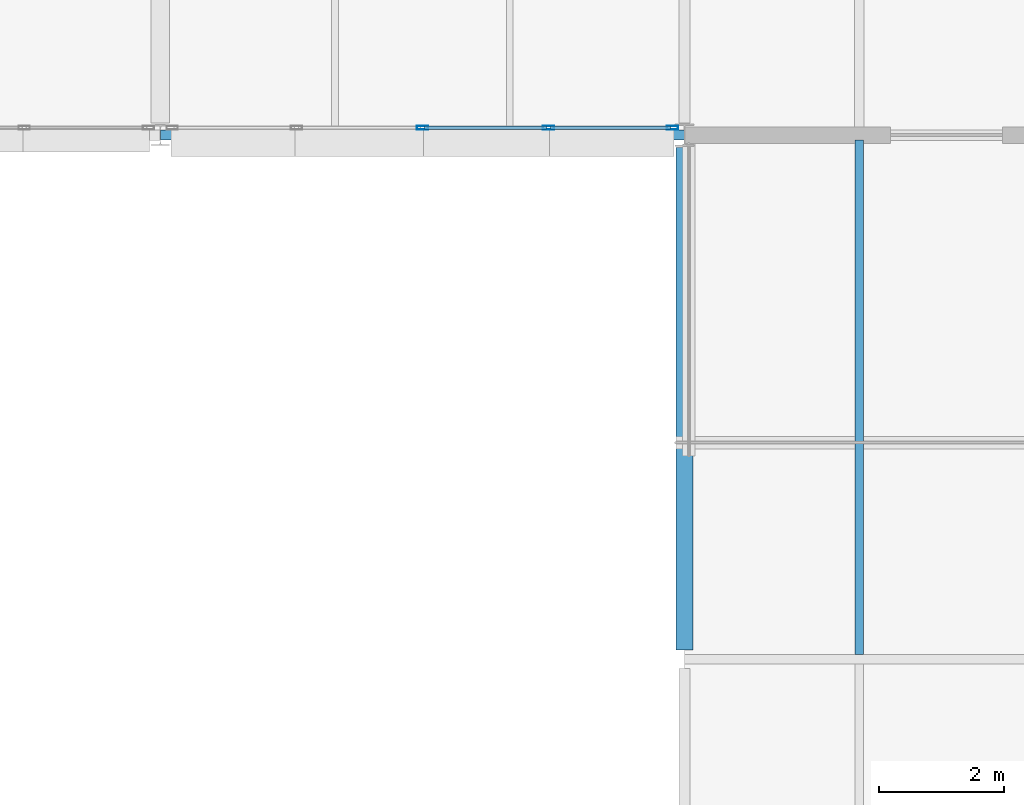
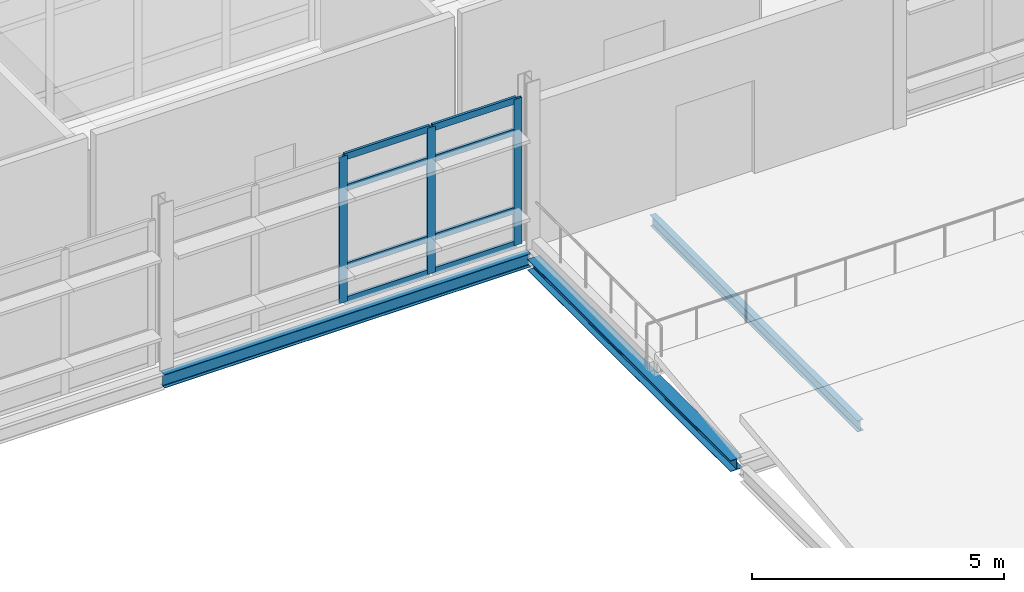
# One storey, part 17 of 66: 11 members, 3 beams, 1 element without a shape of its own.
"""IFC4 building model written with IfcOpenShell, lengths in metres."""

from ifc_helpers import new_model, si_unit, direction, frame, origin, origin_2d, place, context, subcontext, project, spatial, hollow_rectangle, i_section, extrude, material, material_profile, profile_set, type_object, element, aggregate, save


model = new_model("IFC4")

# Units and contexts
model_context = context("Model", 3, precision=1e-05, world=origin(), true_north=direction((0.0, 1.0)))
body_context = subcontext(model_context, "Body", "Model", "MODEL_VIEW")
ifc_project = project(units=[si_unit("LENGTHUNIT", "METRE"), si_unit("AREAUNIT", "SQUARE_METRE"), si_unit("VOLUMEUNIT", "CUBIC_METRE"), si_unit("PLANEANGLEUNIT", "RADIAN"), si_unit("MASSUNIT", "GRAM", prefix="KILO")], contexts=[model_context])

# Site, building, storey
site_placement = place(None, origin())
site = spatial("IfcSite", under=ifc_project, at=site_placement, CompositionType="ELEMENT")
building_placement = place(site_placement, origin())
building = spatial("IfcBuilding", under=site, at=building_placement, Name="Mersafa Astral City Hall", CompositionType="ELEMENT")
storey_placement = place(building_placement, frame((0.0, 0.0, 22.050048828125)))
storey = spatial("IfcBuildingStorey", under=building, at=storey_placement, Name="L05", CompositionType="ELEMENT", Elevation=22.050048828125)

# Curtain wall, members
ifc_material_1 = material(Name="Anodised bronze aluminium framing", Category="aluminium")
curtain_wall_type = type_object("IfcCurtainWallType", Name="ENV-CW-5", PredefinedType="USERDEFINED", material=ifc_material_1)
curtain_wall_placement = place(storey_placement, origin())
curtain_wall = element("IfcCurtainWall", 1, at=curtain_wall_placement, inside=storey, type_object=curtain_wall_type, Name="L05 Unitised solar curtain wall 238", ObjectType="UNITISED CURTAIN WALL", PredefinedType="USERDEFINED")
ifc_material_profile_1 = material_profile(ifc_material_1, hollow_rectangle(XDim=0.06005859375, YDim=0.179931640625, WallThickness=0.00390625, at=origin_2d()), Name="RHS 60x180x4")
ifc_profile_set_1 = profile_set([ifc_material_profile_1], Name="Anodised bronze aluminium framing")
member_type_1 = type_object("IfcMemberType", Name="ENV-CW-MUL-1", PredefinedType="MULLION", material=ifc_profile_set_1)
member_1_placement = place(storey_placement, frame((96.60009765625, 117.719970703125, -0.001953125), z_axis=(0.0, 0.0, 1.0), x_axis=(0.0, 1.0, 0.0)))
member_1 = element("IfcMember", 2, at=member_1_placement, type_object=member_type_1, Name="CW-5 mullion 3", PredefinedType="MULLION", context=body_context, shape_type="SweptSolid", body=[
    extrude(hollow_rectangle(XDim=0.06005859375, YDim=0.179931640625, WallThickness=0.00390625, at=origin_2d()), origin(), (0.0, 0.0, 1.0), 3.5439453125),
])
member_2_placement = place(storey_placement, frame((98.618896484375, 117.719970703125, -0.001953125), z_axis=(0.0, 0.0, 1.0), x_axis=(0.0, 1.0, 0.0)))
member_2 = element("IfcMember", 3, at=member_2_placement, type_object=member_type_1, Name="CW-5 mullion 4", PredefinedType="MULLION", context=body_context, shape_type="SweptSolid", body=[
    extrude(hollow_rectangle(XDim=0.06005859375, YDim=0.179931640625, WallThickness=0.00390625, at=origin_2d()), origin(), (0.0, 0.0, 1.0), 3.5439453125),
])
member_3_placement = place(storey_placement, frame((100.60791015625, 117.719970703125, -0.001953125), z_axis=(0.0, 0.0, 1.0), x_axis=(0.0, 1.0, 0.0)))
member_3 = element("IfcMember", 4, at=member_3_placement, type_object=member_type_1, Name="CW-5 mullion 5", PredefinedType="MULLION", context=body_context, shape_type="SweptSolid", body=[
    extrude(hollow_rectangle(XDim=0.06005859375, YDim=0.179931640625, WallThickness=0.00390625, at=origin_2d()), origin(), (0.0, 0.0, 1.0), 3.5439453125),
])
ifc_material_profile_2 = material_profile(ifc_material_1, hollow_rectangle(XDim=0.06005859375, YDim=0.159912109375, WallThickness=0.00390625, at=origin_2d()), Name="RHS 60x160x4")
ifc_profile_set_2 = profile_set([ifc_material_profile_2], Name="Anodised bronze aluminium framing")
member_type_2 = type_object("IfcMemberType", Name="ENV-CW-TRN-2", PredefinedType="USERDEFINED", material=ifc_profile_set_2)
member_4_placement = place(storey_placement, frame((96.6298828125, 117.719970703125, 0.02783203125), z_axis=(1.0, 0.0, 0.0), x_axis=(0.0, 1.0, 0.0)))
member_4 = element("IfcMember", 5, at=member_4_placement, type_object=member_type_2, Name="CW-5 transom 3.1", ObjectType="TRANSOM", PredefinedType="USERDEFINED", context=body_context, shape_type="SweptSolid", body=[
    extrude(hollow_rectangle(XDim=0.06005859375, YDim=0.159912109375, WallThickness=0.00390625, at=origin_2d()), origin(), (0.0, 0.0, 1.0), 1.959228515625),
])
member_5_placement = place(storey_placement, frame((96.6298828125, 117.719970703125, 0.849853515625), z_axis=(1.0, 0.0, 0.0), x_axis=(0.0, 1.0, 0.0)))
member_5 = element("IfcMember", 6, at=member_5_placement, type_object=member_type_2, Name="CW-5 transom 3.2", ObjectType="TRANSOM", PredefinedType="USERDEFINED", context=body_context, shape_type="SweptSolid", body=[
    extrude(hollow_rectangle(XDim=0.06005859375, YDim=0.159912109375, WallThickness=0.00390625, at=origin_2d()), origin(), (0.0, 0.0, 1.0), 1.959228515625),
])
member_6_placement = place(storey_placement, frame((96.6298828125, 117.719970703125, 2.75), z_axis=(1.0, 0.0, 0.0), x_axis=(0.0, 1.0, 0.0)))
member_6 = element("IfcMember", 7, at=member_6_placement, type_object=member_type_2, Name="CW-5 transom 3.3", ObjectType="TRANSOM", PredefinedType="USERDEFINED", context=body_context, shape_type="SweptSolid", body=[
    extrude(hollow_rectangle(XDim=0.06005859375, YDim=0.159912109375, WallThickness=0.00390625, at=origin_2d()), origin(), (0.0, 0.0, 1.0), 1.959228515625),
])
member_7_placement = place(storey_placement, frame((96.6298828125, 117.719970703125, 3.511962890625), z_axis=(1.0, 0.0, 0.0), x_axis=(0.0, 1.0, 0.0)))
member_7 = element("IfcMember", 8, at=member_7_placement, type_object=member_type_2, Name="CW-5 transom 3.4", ObjectType="TRANSOM", PredefinedType="USERDEFINED", context=body_context, shape_type="SweptSolid", body=[
    extrude(hollow_rectangle(XDim=0.06005859375, YDim=0.159912109375, WallThickness=0.00390625, at=origin_2d()), origin(), (0.0, 0.0, 1.0), 1.959228515625),
])
member_8_placement = place(storey_placement, frame((98.64892578125, 117.719970703125, 0.02783203125), z_axis=(1.0, 0.0, 0.0), x_axis=(0.0, 1.0, 0.0)))
member_8 = element("IfcMember", 9, at=member_8_placement, type_object=member_type_2, Name="CW-5 transom 4.1", ObjectType="TRANSOM", PredefinedType="USERDEFINED", context=body_context, shape_type="SweptSolid", body=[
    extrude(hollow_rectangle(XDim=0.06005859375, YDim=0.159912109375, WallThickness=0.00390625, at=origin_2d()), origin(), (0.0, 0.0, 1.0), 1.928955078125),
])
member_9_placement = place(storey_placement, frame((98.64892578125, 117.719970703125, 0.849853515625), z_axis=(1.0, 0.0, 0.0), x_axis=(0.0, 1.0, 0.0)))
member_9 = element("IfcMember", 10, at=member_9_placement, type_object=member_type_2, Name="CW-5 transom 4.2", ObjectType="TRANSOM", PredefinedType="USERDEFINED", context=body_context, shape_type="SweptSolid", body=[
    extrude(hollow_rectangle(XDim=0.06005859375, YDim=0.159912109375, WallThickness=0.00390625, at=origin_2d()), origin(), (0.0, 0.0, 1.0), 1.928955078125),
])
member_10_placement = place(storey_placement, frame((98.64892578125, 117.719970703125, 2.75), z_axis=(1.0, 0.0, 0.0), x_axis=(0.0, 1.0, 0.0)))
member_10 = element("IfcMember", 11, at=member_10_placement, type_object=member_type_2, Name="CW-5 transom 4.3", ObjectType="TRANSOM", PredefinedType="USERDEFINED", context=body_context, shape_type="SweptSolid", body=[
    extrude(hollow_rectangle(XDim=0.06005859375, YDim=0.159912109375, WallThickness=0.00390625, at=origin_2d()), origin(), (0.0, 0.0, 1.0), 1.928955078125),
])
member_11_placement = place(storey_placement, frame((98.64892578125, 117.719970703125, 3.511962890625), z_axis=(1.0, 0.0, 0.0), x_axis=(0.0, 1.0, 0.0)))
member_11 = element("IfcMember", 12, at=member_11_placement, type_object=member_type_2, Name="CW-5 transom 4.4", ObjectType="TRANSOM", PredefinedType="USERDEFINED", context=body_context, shape_type="SweptSolid", body=[
    extrude(hollow_rectangle(XDim=0.06005859375, YDim=0.159912109375, WallThickness=0.00390625, at=origin_2d()), origin(), (0.0, 0.0, 1.0), 1.928955078125),
])
aggregate(curtain_wall, [member_1, member_2, member_3, member_4, member_5, member_6, member_7, member_8, member_9, member_10, member_11])

# Beams
ifc_material_2 = material(Name="Steel S355", Category="steel")
ifc_material_profile_3 = material_profile(ifc_material_2, i_section(OverallWidth=0.135009765625, OverallDepth=0.27001953125, WebThickness=0.006591796875, FlangeThickness=0.01025390625, FilletRadius=0.014892578125, at=origin_2d()), Name="IPE 270")
ifc_profile_set_3 = profile_set([ifc_material_profile_3], Name="Steel S355")
beam_type_1 = type_object("IfcBeamType", Name="STR-BM-JOIST-IPE270", PredefinedType="JOIST", material=ifc_profile_set_3)
beam_1_placement = place(storey_placement, frame((103.60009765625, 109.27490234375, -0.3349609375), z_axis=(0.0, 1.0, 0.0), x_axis=(-1.0, 0.0, 0.0)))
element("IfcBeam", 13, at=beam_1_placement, inside=storey, type_object=beam_type_1, Name="L05 Flat roof secondary joist 25", PredefinedType="JOIST", context=body_context, shape_type="SweptSolid", body=[
    extrude(i_section(OverallWidth=0.135009765625, OverallDepth=0.27001953125, WebThickness=0.006591796875, FlangeThickness=0.01025390625, FilletRadius=0.014892578125, at=origin_2d()), origin(), (0.0, 0.0, 1.0), 8.2451171875),
])
ifc_material_profile_4 = material_profile(ifc_material_2, i_section(OverallWidth=0.280029296875, OverallDepth=0.27001953125, WebThickness=0.008056640625, FlangeThickness=0.012939453125, FilletRadius=0.02392578125, at=origin_2d()), Name="HEA 280")
ifc_profile_set_4 = profile_set([ifc_material_profile_4], Name="Steel S355")
beam_type_2 = type_object("IfcBeamType", Name="STR-BM-SPANDREL-HEA280", PredefinedType="SPANDREL", material=ifc_profile_set_4)
beam_2_placement = place(storey_placement, frame((100.800048828125, 109.344970703125, -0.3349609375), z_axis=(0.0, 1.0, 0.0), x_axis=(-1.0, 0.0, 0.0)))
element("IfcBeam", 14, at=beam_2_placement, inside=storey, type_object=beam_type_2, Name="L05 Primary girder Y 12-13", PredefinedType="SPANDREL", context=body_context, shape_type="SweptSolid", body=[
    extrude(i_section(OverallWidth=0.280029296875, OverallDepth=0.27001953125, WebThickness=0.008056640625, FlangeThickness=0.012939453125, FilletRadius=0.02392578125, at=origin_2d()), origin(), (0.0, 0.0, 1.0), 8.06005859375),
])
ifc_material_profile_5 = material_profile(ifc_material_2, i_section(OverallWidth=0.159912109375, OverallDepth=0.330078125, WebThickness=0.007568359375, FlangeThickness=0.011474609375, FilletRadius=0.01806640625, at=origin_2d()), Name="IPE 330")
ifc_profile_set_5 = profile_set([ifc_material_profile_5], Name="Steel S355")
beam_type_3 = type_object("IfcBeamType", Name="STR-BM-SPANDREL-IPE330", PredefinedType="SPANDREL", material=ifc_profile_set_5)
beam_3_placement = place(storey_placement, frame((92.403076171875, 117.60009765625, -0.344970703125), z_axis=(1.0, 0.0, 0.0), x_axis=(0.0, 1.0, 0.0)))
element("IfcBeam", 15, at=beam_3_placement, inside=storey, type_object=beam_type_3, Name="L05 Primary girder X 11-14", PredefinedType="SPANDREL", context=body_context, shape_type="SweptSolid", body=[
    extrude(i_section(OverallWidth=0.159912109375, OverallDepth=0.330078125, WebThickness=0.007568359375, FlangeThickness=0.011474609375, FilletRadius=0.01806640625, at=origin_2d()), origin(), (0.0, 0.0, 1.0), 8.39404296875),
])

save(model, "model.ifc")
